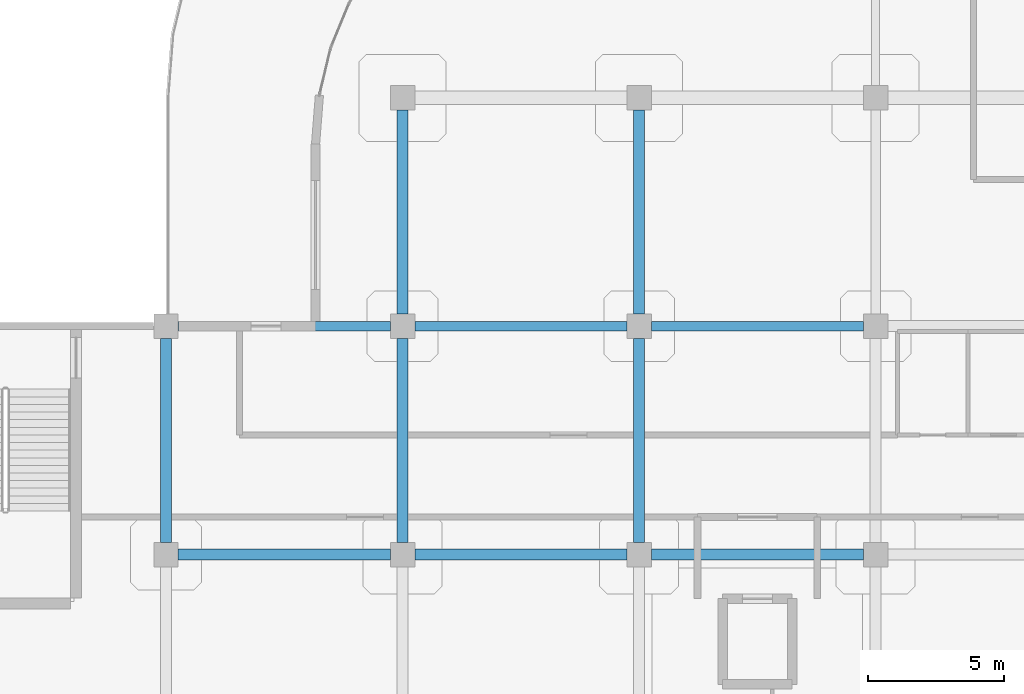
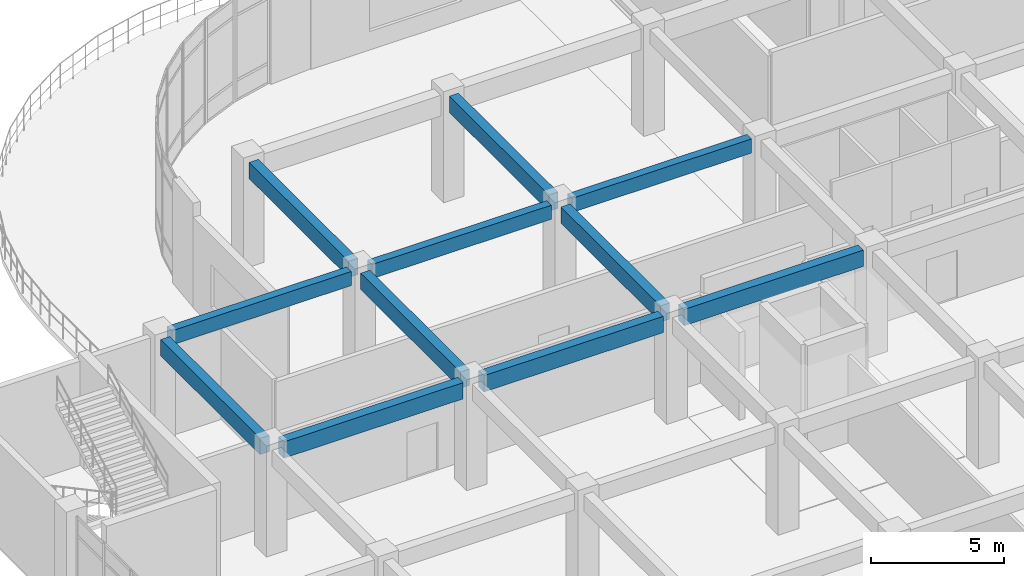
# One storey, part 18 of 120: 11 beams.
"""IFC4 building model written with IfcOpenShell, lengths in metres."""

import ifcopenshell
import ifcopenshell.guid

model = None  # the IFC model being written
_history = None  # IfcOwnerHistory: only IFC2X3 demands one
_inside = {}  # id of a spatial element -> (the spatial element, [elements in it])
_under = {}  # id of a project, library or spatial element -> (it, [spatial elements below it])
_declared = {}  # id of a project -> (the project, [libraries it declares])
_typed = {}  # id of a type object -> (the type object, [elements of that type])
_made_of = {}  # id of a material, layer set ... -> (it, [elements and type objects made of it])


def new_model(schema):
    """Start an empty IFC model of exactly this schema.

    Asked for "IFC4X3", IfcOpenShell would pick the latest addendum, in which some entities
    have other attributes; the version numbers below select the first issue.
    IFC2X3 requires an IfcOwnerHistory on every rooted entity: one is made here for all.
    """
    global model, _history
    if schema == "IFC4X3":
        model = ifcopenshell.file(schema_version=(4, 3, 0, 0))
    else:
        model = ifcopenshell.file(schema=schema)
    _inside.clear()
    _under.clear()
    _declared.clear()
    _typed.clear()
    _made_of.clear()
    _history = None
    if model.schema == "IFC2X3":
        org = make("IfcOrganization", Name="unknown")
        user = make(
            "IfcPersonAndOrganization",
            ThePerson=make("IfcPerson", FamilyName="unknown"),
            TheOrganization=org,
        )
        app = make(
            "IfcApplication",
            ApplicationDeveloper=org,
            Version="unknown",
            ApplicationFullName="unknown",
            ApplicationIdentifier="unknown",
        )
        _history = make(
            "IfcOwnerHistory",
            OwningUser=user,
            OwningApplication=app,
            ChangeAction="ADDED",
            CreationDate=0,
        )
    return model


def make(cls, **values):
    """One entity of the class cls with the attributes given. An attribute that is None is left unset."""
    return model.create_entity(
        cls, **{name: value for name, value in values.items() if value is not None}
    )


def rooted(cls, **values):
    """An entity with a GlobalId (a new one), such as an element, a storey or a relation."""
    return make(cls, GlobalId=ifcopenshell.guid.new(), OwnerHistory=_history, **values)


def si_unit(unit_type, name, prefix=None):
    """IfcSIUnit, for example si_unit("LENGTHUNIT", "METRE", prefix="MILLI")."""
    return make("IfcSIUnit", UnitType=unit_type, Prefix=prefix, Name=name)


def derived_unit(unit_type, elements):
    """IfcDerivedUnit: a product of units, each with its exponent."""
    return make(
        "IfcDerivedUnit",
        Elements=[
            make("IfcDerivedUnitElement", Unit=unit, Exponent=power)
            for unit, power in elements
        ],
        UnitType=unit_type,
    )


def assignment(units):
    """IfcUnitAssignment: the units of a project."""
    return None if units is None else make("IfcUnitAssignment", Units=units)


def point(xyz):
    """IfcCartesianPoint."""
    return None if xyz is None else make("IfcCartesianPoint", Coordinates=xyz)


def direction(xyz):
    """IfcDirection."""
    return None if xyz is None else make("IfcDirection", DirectionRatios=xyz)


def frame(location, z_axis=None, x_axis=None):
    """IfcAxis2Placement3D, a coordinate frame: its origin and axes. An axis left out is left unset."""
    return make(
        "IfcAxis2Placement3D",
        Location=point(location),
        Axis=direction(z_axis),
        RefDirection=direction(x_axis),
    )


def frame_2d(location, x_axis=None):
    """IfcAxis2Placement2D, a coordinate frame in the plane: its origin and x axis."""
    return make(
        "IfcAxis2Placement2D", Location=point(location), RefDirection=direction(x_axis)
    )


def origin():
    """The frame at (0, 0, 0) with its axes left unset."""
    return frame((0.0, 0.0, 0.0))


def origin_2d():
    """The frame at (0, 0) in the plane with its x axis left unset."""
    return frame_2d((0.0, 0.0))


def place(relative_to, where):
    """IfcLocalPlacement: puts the frame where relative to a parent placement (None: the world)."""
    return make(
        "IfcLocalPlacement", PlacementRelTo=relative_to, RelativePlacement=where
    )


def context(
    kind, dimensions, precision=None, world=None, true_north=None, identifier=None
):
    """IfcGeometricRepresentationContext, for example the 3D "Model" context."""
    return make(
        "IfcGeometricRepresentationContext",
        ContextIdentifier=identifier,
        ContextType=kind,
        CoordinateSpaceDimension=dimensions,
        Precision=precision,
        WorldCoordinateSystem=world,
        TrueNorth=true_north,
    )


def subcontext(parent, identifier, kind, view, scale=None):
    """IfcGeometricRepresentationSubContext, for example "Body" below "Model"."""
    return make(
        "IfcGeometricRepresentationSubContext",
        ContextIdentifier=identifier,
        ContextType=kind,
        ParentContext=parent,
        TargetScale=scale,
        TargetView=view,
    )


def project(units=None, contexts=None):
    """IfcProject with its units and contexts."""
    return rooted(
        "IfcProject",
        Name="project",
        RepresentationContexts=contexts,
        UnitsInContext=assignment(units),
    )


def spatial(cls, under=None, at=None, **own):
    """A site, building, storey or space (cls), placed at a placement, below another one or the project."""
    s = rooted(cls, ObjectPlacement=at, **own)
    if under is not None:
        _under.setdefault(under.id(), (under, []))[1].append(s)
    return s


def profile(cls, at=None, kind="AREA", **sizes):
    """A parametric profile (cls). Its sizes go by their IFC names, for example OverallWidth=200.0."""
    return make(cls, ProfileType=kind, Position=at, **sizes)


def rectangle(**sizes):
    """IfcRectangleProfileDef."""
    return profile("IfcRectangleProfileDef", **sizes)


def extrude(swept, where, along, depth):
    """IfcExtrudedAreaSolid: the profile swept, set in the frame where, extruded along a direction by depth."""
    return make(
        "IfcExtrudedAreaSolid",
        SweptArea=swept,
        Position=where,
        ExtrudedDirection=direction(along),
        Depth=depth,
    )


def shape(context_of_items, identifier, shape_type, items):
    """IfcShapeRepresentation: the items that make up one representation, for example the "Body"."""
    return make(
        "IfcShapeRepresentation",
        ContextOfItems=context_of_items,
        RepresentationIdentifier=identifier,
        RepresentationType=shape_type,
        Items=items,
    )


def material(Name=None, Category=None):
    """IfcMaterial."""
    return make("IfcMaterial", Name=Name, Category=Category)


def material_profile(
    of_material, cross_section, Name=None, Category=None, Priority=None
):
    """IfcMaterialProfile: a cross section and its material."""
    return make(
        "IfcMaterialProfile",
        Name=Name,
        Material=of_material,
        Profile=cross_section,
        Priority=Priority,
        Category=Category,
    )


def profile_set(profiles, Name=None, composite=None):
    """IfcMaterialProfileSet."""
    return make(
        "IfcMaterialProfileSet",
        Name=Name,
        MaterialProfiles=profiles,
        CompositeProfile=composite,
    )


def made_of(thing, what):
    """Note that an element or type object is made of a material, layer set ...; save() writes the relation."""
    if what is not None:
        _made_of.setdefault(what.id(), (what, []))[1].append(thing)
    return thing


def type_object(cls, material=None, **own):
    """A type object (cls), such as IfcWallType, which elements share."""
    return made_of(rooted(cls, **own), material)


def element(
    cls,
    number,
    at=None,
    inside=None,
    cuts=None,
    type_object=None,
    material=None,
    context=None,
    identifier="Body",
    shape_type=None,
    held_by="IfcProductDefinitionShape",
    body=None,
    shapes=None,
    **own,
):
    """One element of the class cls, such as IfcWall. Its Tag is "e" and its number.

    at: its placement. inside: the storey or other place that contains it. cuts: it is an
    opening in that element (IfcRelVoidsElement). A single representation is given by context,
    identifier, shape_type and body (its items); several are given by shapes. held_by: the class
    of the entity that holds the representations. save() writes the other relations.
    """
    e = rooted(cls, Tag="e%d" % number, ObjectPlacement=at, **own)
    if body is not None:
        shapes = [shape(context, identifier, shape_type, body)]
    if shapes is not None:
        e.Representation = make(held_by, Representations=shapes)
    if inside is not None:
        _inside.setdefault(inside.id(), (inside, []))[1].append(e)
    if cuts is not None:
        rooted(
            "IfcRelVoidsElement", RelatingBuildingElement=cuts, RelatedOpeningElement=e
        )
    if type_object is not None:
        _typed.setdefault(type_object.id(), (type_object, []))[1].append(e)
    return made_of(e, material)


def aggregate(whole, parts):
    """IfcRelAggregates: a whole, such as a stair, and the parts it consists of."""
    return rooted("IfcRelAggregates", RelatingObject=whole, RelatedObjects=parts)


def save(model, path):
    """Write the relations noted so far, then the file.

    IfcRelAggregates (storeys below a building ...), IfcRelContainedInSpatialStructure (elements
    in a storey), IfcRelDefinesByType, IfcRelAssociatesMaterial and IfcRelDeclares: one each for
    every whole, place, type object, material and project.
    """
    for whole, parts in _under.values():
        aggregate(whole, parts)
    for where, things in _inside.values():
        rooted(
            "IfcRelContainedInSpatialStructure",
            RelatedElements=things,
            RelatingStructure=where,
        )
    for kind, things in _typed.values():
        rooted("IfcRelDefinesByType", RelatedObjects=things, RelatingType=kind)
    for what, things in _made_of.values():
        rooted("IfcRelAssociatesMaterial", RelatedObjects=things, RelatingMaterial=what)
    for by, libraries in _declared.values():
        rooted("IfcRelDeclares", RelatingContext=by, RelatedDefinitions=libraries)
    model.write(path)


model = new_model("IFC4")

# Units and contexts
model_context = context("Model", 3, precision=1e-05, world=origin(), true_north=direction((0.0, 1.0)))
body_context = subcontext(model_context, "Body", "Model", "MODEL_VIEW")
ifc_project = project(units=[si_unit("LENGTHUNIT", "METRE"), si_unit("AREAUNIT", "SQUARE_METRE"), si_unit("VOLUMEUNIT", "CUBIC_METRE"), si_unit("PLANEANGLEUNIT", "RADIAN"), si_unit("MASSUNIT", "GRAM", prefix="KILO"), derived_unit("THERMALTRANSMITTANCEUNIT", [(si_unit("MASSUNIT", "GRAM", prefix="KILO"), 1), (si_unit("TIMEUNIT", "SECOND"), -3), (si_unit("THERMODYNAMICTEMPERATUREUNIT", "KELVIN"), -1)])], contexts=[model_context])

# Site, building, storey
site_placement = place(None, origin())
site = spatial("IfcSite", under=ifc_project, at=site_placement, CompositionType="ELEMENT")
building_placement = place(site_placement, origin())
building = spatial("IfcBuilding", under=site, at=building_placement, Name="Qinzheling Arcade Emporium", CompositionType="ELEMENT")
storey_placement = place(building_placement, frame((0.0, 0.0, 11.39990234375)))
storey = spatial("IfcBuildingStorey", under=building, at=storey_placement, Name="L03", CompositionType="ELEMENT", Elevation=11.39990234375)

# Beams
ifc_material = material(Name="Concrete C40", Category="concrete")
ifc_material_profile_1 = material_profile(ifc_material, rectangle(XDim=0.39990234375, YDim=0.75, at=origin_2d()), Name="RC 400x750", Category="concrete")
ifc_profile_set_1 = profile_set([ifc_material_profile_1], Name="Concrete C40")
beam_type_1 = type_object("IfcBeamType", Name="RC Interior Tie Beam 400x750 C40", PredefinedType="BEAM", material=ifc_profile_set_1)
beam_1_placement = place(storey_placement, frame((9.14990234375, 33.60009765625, 4.445068359375), z_axis=(1.0, 0.0, 0.0), x_axis=(0.0, 1.0, 0.0)))
element("IfcBeam", 1, at=beam_1_placement, inside=storey, type_object=beam_type_1, Name="Beam BM-L03-X-E-2", PredefinedType="BEAM", context=body_context, shape_type="SweptSolid", body=[
    extrude(rectangle(XDim=0.39990234375, YDim=0.75, at=origin_2d()), origin(), (0.0, 0.0, 1.0), 7.800048828125),
])
beam_2_placement = place(storey_placement, frame((17.85009765625, 33.60009765625, 4.445068359375), z_axis=(1.0, 0.0, 0.0), x_axis=(0.0, 1.0, 0.0)))
element("IfcBeam", 2, at=beam_2_placement, inside=storey, type_object=beam_type_1, Name="Beam BM-L03-X-E-3", PredefinedType="BEAM", context=body_context, shape_type="SweptSolid", body=[
    extrude(rectangle(XDim=0.39990234375, YDim=0.75, at=origin_2d()), origin(), (0.0, 0.0, 1.0), 7.7998046875),
])
beam_3_placement = place(storey_placement, frame((26.550048828125, 33.60009765625, 4.445068359375), z_axis=(1.0, 0.0, 0.0), x_axis=(0.0, 1.0, 0.0)))
element("IfcBeam", 3, at=beam_3_placement, inside=storey, type_object=beam_type_1, Name="Beam BM-L03-X-E-4", PredefinedType="BEAM", context=body_context, shape_type="SweptSolid", body=[
    extrude(rectangle(XDim=0.39990234375, YDim=0.75, at=origin_2d()), origin(), (0.0, 0.0, 1.0), 7.800048828125),
])
for number, where, z_axis, x_axis, name in (
    (4, (8.699951171875, 34.050048828125, 4.445068359375), (0.0, 1.0, 0.0), (-1.0, 0.0, 0.0), "Beam BM-L03-Y-2-E"),
    (5, (17.39990234375, 34.050048828125, 4.445068359375), (0.0, 1.0, 0.0), (-1.0, 0.0, 0.0), "Beam BM-L03-Y-3-E"),
    (6, (17.39990234375, 42.449951171875, 4.445068359375), (0.0, 1.0, 0.0), (-1.0, 0.0, 0.0), "Beam BM-L03-Y-3-F"),
    (7, (26.10009765625, 34.050048828125, 4.445068359375), (0.0, 1.0, 0.0), (-1.0, 0.0, 0.0), "Beam BM-L03-Y-4-E"),
    (8, (26.10009765625, 42.449951171875, 4.445068359375), (0.0, 1.0, 0.0), (-1.0, 0.0, 0.0), "Beam BM-L03-Y-4-F"),
):
    element("IfcBeam", number, at=place(storey_placement, frame(where, z_axis=z_axis, x_axis=x_axis)), inside=storey, type_object=beam_type_1, Name=name, PredefinedType="BEAM", context=body_context, shape_type="SweptSolid", body=[
        extrude(rectangle(XDim=0.39990234375, YDim=0.75, at=origin_2d()), origin(), (0.0, 0.0, 1.0), 7.5),
    ])
ifc_material_profile_2 = material_profile(ifc_material, rectangle(XDim=0.35009765625, YDim=0.64990234375, at=origin_2d()), Name="RC 350x650", Category="concrete")
ifc_profile_set_2 = profile_set([ifc_material_profile_2], Name="Concrete C40")
beam_type_2 = type_object("IfcBeamType", Name="RC Spandrel Edge Beam 350x650 C40", PredefinedType="SPANDREL", material=ifc_profile_set_2)
beam_4_placement = place(storey_placement, frame((9.14990234375, 42.0, 4.4951171875), z_axis=(1.0, 0.0, 0.0), x_axis=(0.0, 1.0, 0.0)))
element("IfcBeam", 9, at=beam_4_placement, inside=storey, type_object=beam_type_2, Name="Beam BM-L03-X-F-2", PredefinedType="SPANDREL", context=body_context, shape_type="SweptSolid", body=[
    extrude(rectangle(XDim=0.35009765625, YDim=0.64990234375, at=origin_2d()), origin(), (0.0, 0.0, 1.0), 7.800048828125),
])
beam_5_placement = place(storey_placement, frame((17.85009765625, 42.0, 4.4951171875), z_axis=(1.0, 0.0, 0.0), x_axis=(0.0, 1.0, 0.0)))
element("IfcBeam", 10, at=beam_5_placement, inside=storey, type_object=beam_type_2, Name="Beam BM-L03-X-F-3", PredefinedType="SPANDREL", context=body_context, shape_type="SweptSolid", body=[
    extrude(rectangle(XDim=0.35009765625, YDim=0.64990234375, at=origin_2d()), origin(), (0.0, 0.0, 1.0), 7.7998046875),
])
beam_6_placement = place(storey_placement, frame((26.550048828125, 42.0, 4.4951171875), z_axis=(1.0, 0.0, 0.0), x_axis=(0.0, 1.0, 0.0)))
element("IfcBeam", 11, at=beam_6_placement, inside=storey, type_object=beam_type_2, Name="Beam BM-L03-X-F-4", PredefinedType="SPANDREL", context=body_context, shape_type="SweptSolid", body=[
    extrude(rectangle(XDim=0.35009765625, YDim=0.64990234375, at=origin_2d()), origin(), (0.0, 0.0, 1.0), 7.800048828125),
])

save(model, "model.ifc")
